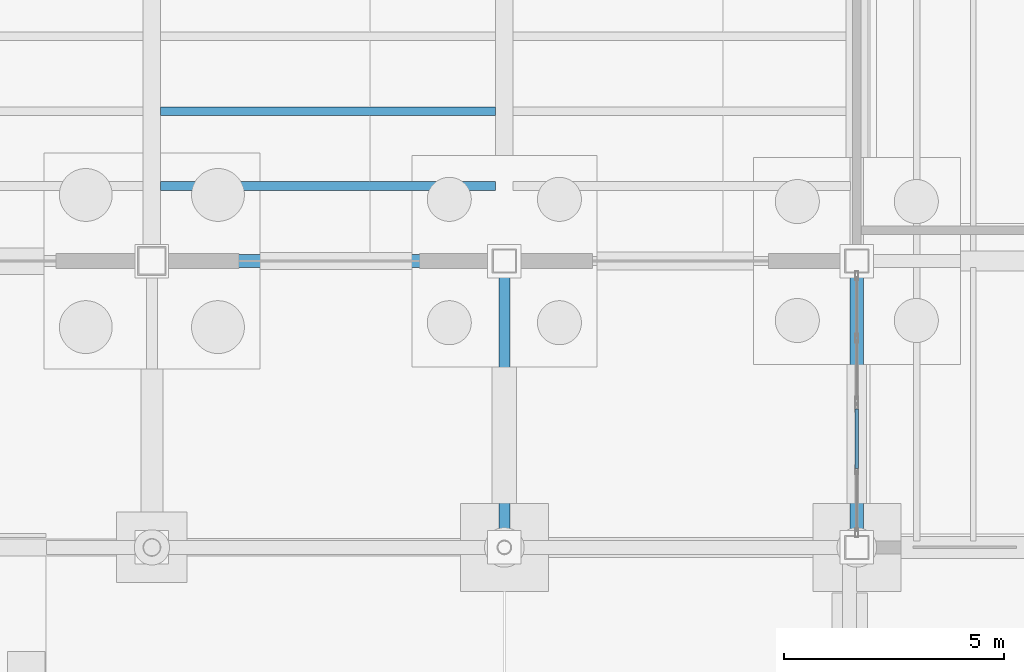
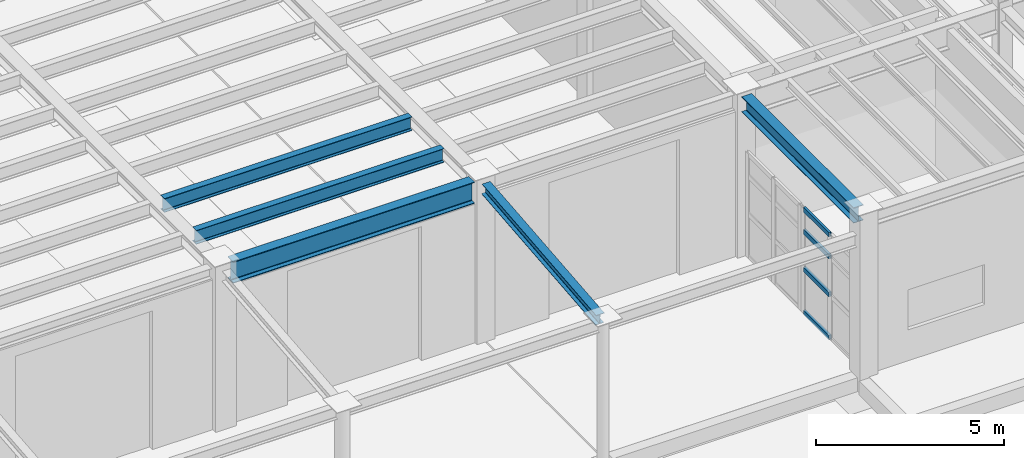
# One storey, part 38 of 86: 5 beams, 4 members, 1 element without a shape of its own.
"""IFC4 building model written with IfcOpenShell, lengths in metres."""

from ifc_helpers import new_model, si_unit, direction, frame, origin, origin_2d, place, context, subcontext, project, spatial, hollow_rectangle, i_section, extrude, material, material_profile, profile_set, type_object, element, aggregate, save


model = new_model("IFC4")

# Units and contexts
model_context = context("Model", 3, precision=1e-05, world=origin(), true_north=direction((0.0, 1.0)))
body_context = subcontext(model_context, "Body", "Model", "MODEL_VIEW")
ifc_project = project(units=[si_unit("LENGTHUNIT", "METRE"), si_unit("AREAUNIT", "SQUARE_METRE"), si_unit("VOLUMEUNIT", "CUBIC_METRE"), si_unit("PLANEANGLEUNIT", "RADIAN"), si_unit("MASSUNIT", "GRAM", prefix="KILO"), si_unit("THERMODYNAMICTEMPERATUREUNIT", "KELVIN"), si_unit("POWERUNIT", "WATT")], contexts=[model_context])

# Site, building, storey
site_placement = place(None, origin())
site = spatial("IfcSite", under=ifc_project, at=site_placement, CompositionType="ELEMENT")
building_placement = place(site_placement, origin())
building = spatial("IfcBuilding", under=site, at=building_placement, Name="Zhenchuan Central Fire Station", CompositionType="ELEMENT")
storey_placement = place(building_placement, frame((0.0, 0.0, 0.449951171875)))
storey = spatial("IfcBuildingStorey", under=building, at=storey_placement, Name="L01", CompositionType="ELEMENT", Elevation=0.449951171875)

# Beams
ifc_material_1 = material(Name="Steel Q355B", Category="steel")
ifc_material_profile_1 = material_profile(ifc_material_1, i_section(OverallWidth=0.25, OverallDepth=0.340087890625, WebThickness=0.009033203125, FlangeThickness=0.013916015625, FilletRadius=0.01806640625, at=origin_2d()), Name="HM 340x250")
ifc_profile_set_1 = profile_set([ifc_material_profile_1], Name="Steel Q355B")
beam_type_1 = type_object("IfcBeamType", Name="BM-HM340-EXT", PredefinedType="BEAM", material=ifc_profile_set_1)
beam_1_placement = place(storey_placement, frame((132.0, 0.161865234375, 4.41015625), z_axis=(0.0, 0.995301423854, 0.096824974433), x_axis=(-1.0, 0.0, 0.0)))
element("IfcBeam", 1, at=beam_1_placement, inside=storey, type_object=beam_type_1, Name="Canopy Sloped Rafter 0539", PredefinedType="BEAM", context=body_context, shape_type="SweptSolid", body=[
    extrude(i_section(OverallWidth=0.25, OverallDepth=0.340087890625, WebThickness=0.009033203125, FlangeThickness=0.013916015625, FilletRadius=0.01806640625, at=origin_2d()), origin(), (0.0, 0.0, 1.0), 6.091796875),
])
ifc_material_profile_2 = material_profile(ifc_material_1, i_section(OverallWidth=0.300048828125, OverallDepth=0.5, WebThickness=0.010986328125, FlangeThickness=0.01806640625, FilletRadius=0.02197265625, at=origin_2d()), Name="HM 500x300")
ifc_profile_set_2 = profile_set([ifc_material_profile_2], Name="Steel Q355B")
beam_type_2 = type_object("IfcBeamType", Name="BM-HM500-INT", PredefinedType="BEAM", material=ifc_profile_set_2)
beam_2_placement = place(storey_placement, frame((140.0, 0.27490234375, 4.949951171875), z_axis=(0.0, 1.0, 0.0), x_axis=(-1.0, 0.0, 0.0)))
element("IfcBeam", 2, at=beam_2_placement, inside=storey, type_object=beam_type_2, Name="L02 Girder NS 0154", PredefinedType="BEAM", context=body_context, shape_type="SweptSolid", body=[
    extrude(i_section(OverallWidth=0.300048828125, OverallDepth=0.5, WebThickness=0.010986328125, FlangeThickness=0.01806640625, FilletRadius=0.02197265625, at=origin_2d()), origin(), (0.0, 0.0, 1.0), 5.9501953125),
])
ifc_material_profile_3 = material_profile(ifc_material_1, i_section(OverallWidth=0.199951171875, OverallDepth=0.449951171875, WebThickness=0.009033203125, FlangeThickness=0.013916015625, FilletRadius=0.01806640625, at=origin_2d()), Name="HN 450x200")
ifc_profile_set_3 = profile_set([ifc_material_profile_3], Name="Steel Q355B")
beam_type_3 = type_object("IfcBeamType", Name="BM-HN450", PredefinedType="BEAM", material=ifc_profile_set_3)
for number, where, z_axis, x_axis, name in (
    (3, (124.197021484375, 8.199951171875, 4.97509765625), (1.0, 0.0, 0.0), (0.0, 1.0, 0.0), "Appliance Hall Secondary Floor Joist 0943"),
    (4, (124.197021484375, 9.89990234375, 4.97509765625), (1.0, 0.0, 0.0), (0.0, 1.0, 0.0), "Appliance Hall Secondary Floor Joist 0944"),
):
    element("IfcBeam", number, at=place(storey_placement, frame(where, z_axis=z_axis, x_axis=x_axis)), inside=storey, type_object=beam_type_3, Name=name, PredefinedType="BEAM", context=body_context, shape_type="SweptSolid", body=[
        extrude(i_section(OverallWidth=0.199951171875, OverallDepth=0.449951171875, WebThickness=0.009033203125, FlangeThickness=0.013916015625, FilletRadius=0.01806640625, at=origin_2d()), origin(), (0.0, 0.0, 1.0), 7.60595703125),
    ])
ifc_material_profile_4 = material_profile(ifc_material_1, i_section(OverallWidth=0.300048828125, OverallDepth=0.699951171875, WebThickness=0.012939453125, FlangeThickness=0.02392578125, FilletRadius=0.02392578125, at=origin_2d()), Name="HN 700x300")
ifc_profile_set_4 = profile_set([ifc_material_profile_4], Name="Steel Q355B")
beam_type_4 = type_object("IfcBeamType", Name="BM-HN700", PredefinedType="BEAM", material=ifc_profile_set_4)
beam_3_placement = place(storey_placement, frame((124.324951171875, 6.5, 4.85009765625), z_axis=(1.0, 0.0, 0.0), x_axis=(0.0, 1.0, 0.0)))
element("IfcBeam", 5, at=beam_3_placement, inside=storey, type_object=beam_type_4, Name="L02 Girder EW 0024", PredefinedType="BEAM", context=body_context, shape_type="SweptSolid", body=[
    extrude(i_section(OverallWidth=0.300048828125, OverallDepth=0.699951171875, WebThickness=0.012939453125, FlangeThickness=0.02392578125, FilletRadius=0.02392578125, at=origin_2d()), origin(), (0.0, 0.0, 1.0), 7.400146484375),
])

# Curtain wall, members
ifc_material_2 = material(Name="Anodised aluminium and low-E glazing", Category="aluminium")
curtain_wall_type = type_object("IfcCurtainWallType", Name="CW-MOD-09", PredefinedType="USERDEFINED", material=ifc_material_2)
curtain_wall_placement = place(storey_placement, origin())
curtain_wall = element("IfcCurtainWall", 6, at=curtain_wall_placement, inside=storey, type_object=curtain_wall_type, Name="L01 Unitised Curtain Wall 080", ObjectType="UNITISED GLAZING", PredefinedType="USERDEFINED")
ifc_material_3 = material(Name="Anodised aluminium EN AW-6063", Category="aluminium")
ifc_material_profile_5 = material_profile(ifc_material_3, hollow_rectangle(XDim=0.074951171875, YDim=0.14990234375, WallThickness=0.0048828125, at=origin_2d()), Name="ALU-T 150x75")
ifc_profile_set_5 = profile_set([ifc_material_profile_5], Name="Anodised aluminium EN AW-6063")
member_type = type_object("IfcMemberType", Name="CW-TRN130", PredefinedType="NOTDEFINED", material=ifc_profile_set_5)
member_1_placement = place(storey_placement, frame((140.0, 1.78857421875, 0.028564453125), z_axis=(0.0, 1.0, 0.0), x_axis=(-1.0, 0.0, 0.0)))
member_1 = element("IfcMember", 7, at=member_1_placement, type_object=member_type, Name="CW-09 transom 2.1", ObjectType="TRANSOM", PredefinedType="USERDEFINED", context=body_context, shape_type="SweptSolid", body=[
    extrude(hollow_rectangle(XDim=0.074951171875, YDim=0.14990234375, WallThickness=0.0048828125, at=origin_2d()), origin(), (0.0, 0.0, 1.0), 1.3583984375),
])
member_2_placement = place(storey_placement, frame((140.0, 1.78857421875, 1.427978515625), z_axis=(0.0, 1.0, 0.0), x_axis=(-1.0, 0.0, 0.0)))
member_2 = element("IfcMember", 8, at=member_2_placement, type_object=member_type, Name="CW-09 transom 2.2", ObjectType="TRANSOM", PredefinedType="USERDEFINED", context=body_context, shape_type="SweptSolid", body=[
    extrude(hollow_rectangle(XDim=0.074951171875, YDim=0.14990234375, WallThickness=0.0048828125, at=origin_2d()), origin(), (0.0, 0.0, 1.0), 1.3583984375),
])
member_3_placement = place(storey_placement, frame((140.0, 1.78857421875, 2.652099609375), z_axis=(0.0, 1.0, 0.0), x_axis=(-1.0, 0.0, 0.0)))
member_3 = element("IfcMember", 9, at=member_3_placement, type_object=member_type, Name="CW-09 transom 2.3", ObjectType="TRANSOM", PredefinedType="USERDEFINED", context=body_context, shape_type="SweptSolid", body=[
    extrude(hollow_rectangle(XDim=0.074951171875, YDim=0.14990234375, WallThickness=0.0048828125, at=origin_2d()), origin(), (0.0, 0.0, 1.0), 1.3583984375),
])
member_4_placement = place(storey_placement, frame((140.0, 1.78857421875, 3.367431640625), z_axis=(0.0, 1.0, 0.0), x_axis=(-1.0, 0.0, 0.0)))
member_4 = element("IfcMember", 10, at=member_4_placement, type_object=member_type, Name="CW-09 transom 2.4", ObjectType="TRANSOM", PredefinedType="USERDEFINED", context=body_context, shape_type="SweptSolid", body=[
    extrude(hollow_rectangle(XDim=0.074951171875, YDim=0.14990234375, WallThickness=0.0048828125, at=origin_2d()), origin(), (0.0, 0.0, 1.0), 1.3583984375),
])
aggregate(curtain_wall, [member_1, member_2, member_3, member_4])

save(model, "model.ifc")
